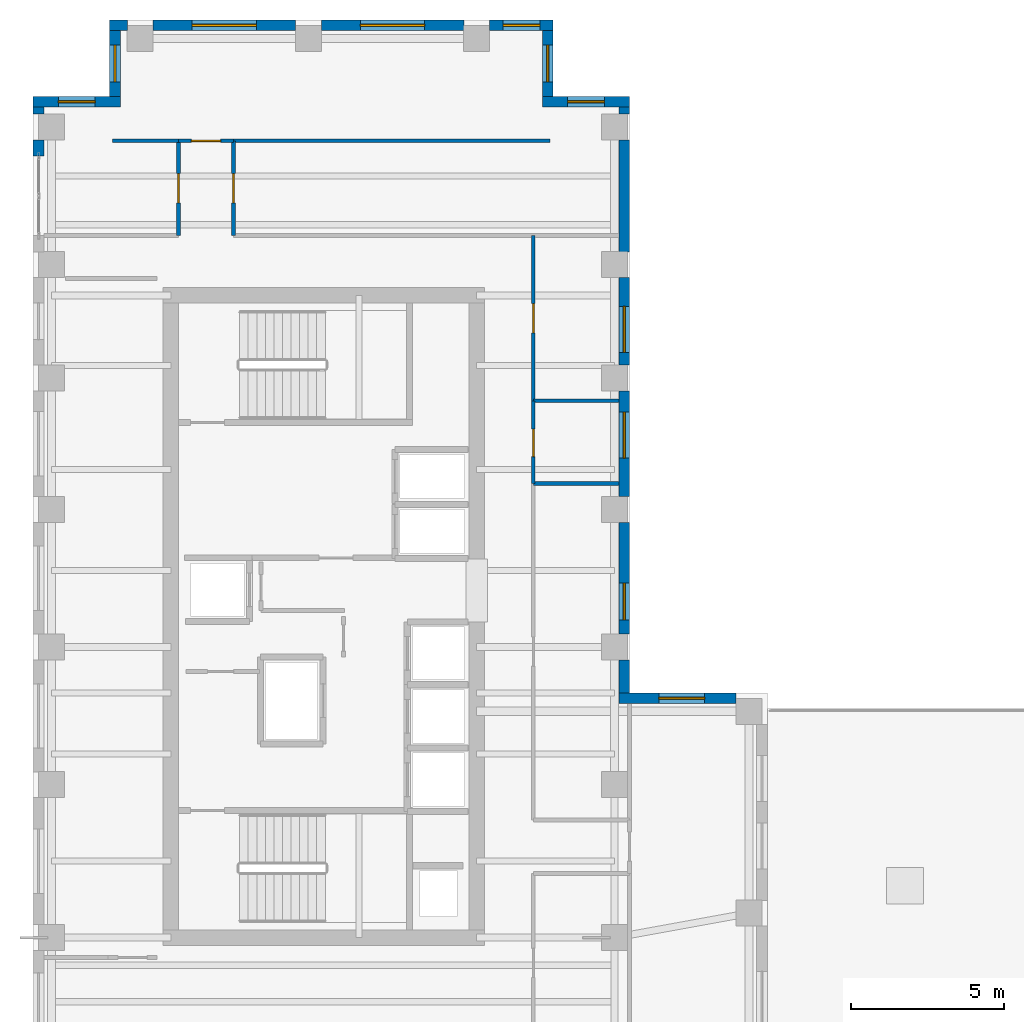
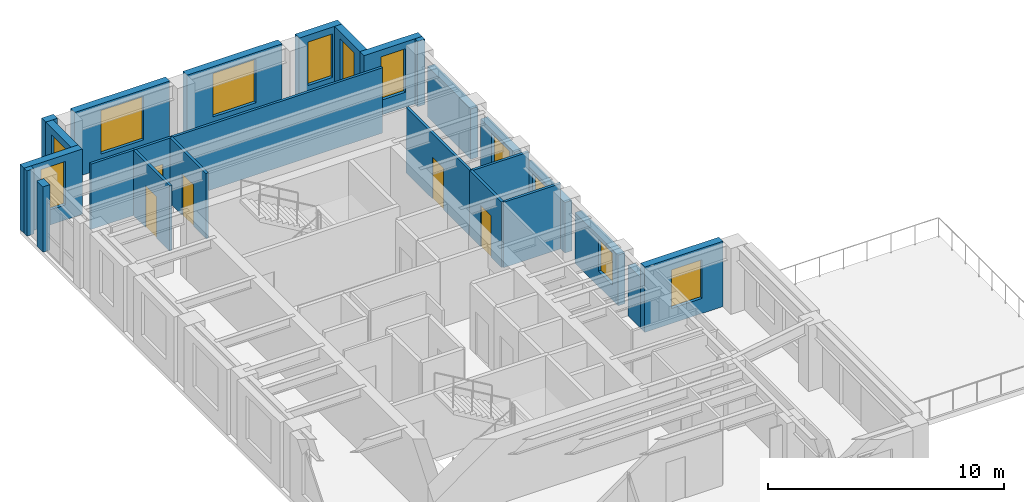
# One storey, part 8 of 11: 26 walls, 11 windows, 5 doors, 16 openings.
"""IFC4 building model written with IfcOpenShell, lengths in metres."""

import ifcopenshell
import ifcopenshell.guid

model = None  # the IFC model being written
_history = None  # IfcOwnerHistory: only IFC2X3 demands one
_inside = {}  # id of a spatial element -> (the spatial element, [elements in it])
_under = {}  # id of a project, library or spatial element -> (it, [spatial elements below it])
_declared = {}  # id of a project -> (the project, [libraries it declares])
_typed = {}  # id of a type object -> (the type object, [elements of that type])
_made_of = {}  # id of a material, layer set ... -> (it, [elements and type objects made of it])


def new_model(schema):
    """Start an empty IFC model of exactly this schema.

    Asked for "IFC4X3", IfcOpenShell would pick the latest addendum, in which some entities
    have other attributes; the version numbers below select the first issue.
    IFC2X3 requires an IfcOwnerHistory on every rooted entity: one is made here for all.
    """
    global model, _history
    if schema == "IFC4X3":
        model = ifcopenshell.file(schema_version=(4, 3, 0, 0))
    else:
        model = ifcopenshell.file(schema=schema)
    _inside.clear()
    _under.clear()
    _declared.clear()
    _typed.clear()
    _made_of.clear()
    _history = None
    if model.schema == "IFC2X3":
        org = make("IfcOrganization", Name="unknown")
        user = make(
            "IfcPersonAndOrganization",
            ThePerson=make("IfcPerson", FamilyName="unknown"),
            TheOrganization=org,
        )
        app = make(
            "IfcApplication",
            ApplicationDeveloper=org,
            Version="unknown",
            ApplicationFullName="unknown",
            ApplicationIdentifier="unknown",
        )
        _history = make(
            "IfcOwnerHistory",
            OwningUser=user,
            OwningApplication=app,
            ChangeAction="ADDED",
            CreationDate=0,
        )
    return model


def make(cls, **values):
    """One entity of the class cls with the attributes given. An attribute that is None is left unset."""
    return model.create_entity(
        cls, **{name: value for name, value in values.items() if value is not None}
    )


def rooted(cls, **values):
    """An entity with a GlobalId (a new one), such as an element, a storey or a relation."""
    return make(cls, GlobalId=ifcopenshell.guid.new(), OwnerHistory=_history, **values)


def si_unit(unit_type, name, prefix=None):
    """IfcSIUnit, for example si_unit("LENGTHUNIT", "METRE", prefix="MILLI")."""
    return make("IfcSIUnit", UnitType=unit_type, Prefix=prefix, Name=name)


def assignment(units):
    """IfcUnitAssignment: the units of a project."""
    return None if units is None else make("IfcUnitAssignment", Units=units)


def point(xyz):
    """IfcCartesianPoint."""
    return None if xyz is None else make("IfcCartesianPoint", Coordinates=xyz)


def direction(xyz):
    """IfcDirection."""
    return None if xyz is None else make("IfcDirection", DirectionRatios=xyz)


def frame(location, z_axis=None, x_axis=None):
    """IfcAxis2Placement3D, a coordinate frame: its origin and axes. An axis left out is left unset."""
    return make(
        "IfcAxis2Placement3D",
        Location=point(location),
        Axis=direction(z_axis),
        RefDirection=direction(x_axis),
    )


def frame_2d(location, x_axis=None):
    """IfcAxis2Placement2D, a coordinate frame in the plane: its origin and x axis."""
    return make(
        "IfcAxis2Placement2D", Location=point(location), RefDirection=direction(x_axis)
    )


def origin():
    """The frame at (0, 0, 0) with its axes left unset."""
    return frame((0.0, 0.0, 0.0))


def place(relative_to, where):
    """IfcLocalPlacement: puts the frame where relative to a parent placement (None: the world)."""
    return make(
        "IfcLocalPlacement", PlacementRelTo=relative_to, RelativePlacement=where
    )


def context(
    kind, dimensions, precision=None, world=None, true_north=None, identifier=None
):
    """IfcGeometricRepresentationContext, for example the 3D "Model" context."""
    return make(
        "IfcGeometricRepresentationContext",
        ContextIdentifier=identifier,
        ContextType=kind,
        CoordinateSpaceDimension=dimensions,
        Precision=precision,
        WorldCoordinateSystem=world,
        TrueNorth=true_north,
    )


def subcontext(parent, identifier, kind, view, scale=None):
    """IfcGeometricRepresentationSubContext, for example "Body" below "Model"."""
    return make(
        "IfcGeometricRepresentationSubContext",
        ContextIdentifier=identifier,
        ContextType=kind,
        ParentContext=parent,
        TargetScale=scale,
        TargetView=view,
    )


def project(units=None, contexts=None):
    """IfcProject with its units and contexts."""
    return rooted(
        "IfcProject",
        Name="project",
        RepresentationContexts=contexts,
        UnitsInContext=assignment(units),
    )


def spatial(cls, under=None, at=None, **own):
    """A site, building, storey or space (cls), placed at a placement, below another one or the project."""
    s = rooted(cls, ObjectPlacement=at, **own)
    if under is not None:
        _under.setdefault(under.id(), (under, []))[1].append(s)
    return s


def profile(cls, at=None, kind="AREA", **sizes):
    """A parametric profile (cls). Its sizes go by their IFC names, for example OverallWidth=200.0."""
    return make(cls, ProfileType=kind, Position=at, **sizes)


def rectangle(**sizes):
    """IfcRectangleProfileDef."""
    return profile("IfcRectangleProfileDef", **sizes)


def extrude(swept, where, along, depth):
    """IfcExtrudedAreaSolid: the profile swept, set in the frame where, extruded along a direction by depth."""
    return make(
        "IfcExtrudedAreaSolid",
        SweptArea=swept,
        Position=where,
        ExtrudedDirection=direction(along),
        Depth=depth,
    )


def shape(context_of_items, identifier, shape_type, items):
    """IfcShapeRepresentation: the items that make up one representation, for example the "Body"."""
    return make(
        "IfcShapeRepresentation",
        ContextOfItems=context_of_items,
        RepresentationIdentifier=identifier,
        RepresentationType=shape_type,
        Items=items,
    )


def source(mapping_origin, context_of_items, identifier, shape_type, items):
    """IfcRepresentationMap: a shape defined once, which mapped items show again and again."""
    return make(
        "IfcRepresentationMap",
        MappingOrigin=mapping_origin,
        MappedRepresentation=shape(context_of_items, identifier, shape_type, items),
    )


def transform(
    local_origin,
    x_axis=None,
    y_axis=None,
    z_axis=None,
    scale=None,
    scale2=None,
    scale3=None,
    uniform=True,
):
    """IfcCartesianTransformationOperator3D, or its non-uniform kind. x_axis, y_axis, z_axis: its Axis1, 2, 3."""
    if uniform:
        return make(
            "IfcCartesianTransformationOperator3D",
            Axis1=direction(x_axis),
            Axis2=direction(y_axis),
            LocalOrigin=point(local_origin),
            Scale=scale,
            Axis3=direction(z_axis),
        )
    return make(
        "IfcCartesianTransformationOperator3DnonUniform",
        Axis1=direction(x_axis),
        Axis2=direction(y_axis),
        LocalOrigin=point(local_origin),
        Scale=scale,
        Axis3=direction(z_axis),
        Scale2=scale2,
        Scale3=scale3,
    )


def mapped(mapping_source, mapping_target):
    """IfcMappedItem: shows the shape of a source again, moved by a transform."""
    return make(
        "IfcMappedItem", MappingSource=mapping_source, MappingTarget=mapping_target
    )


def material(Name=None, Category=None):
    """IfcMaterial."""
    return make("IfcMaterial", Name=Name, Category=Category)


def layer(
    of_material, thickness, ventilated=None, Name=None, Category=None, Priority=None
):
    """IfcMaterialLayer: one layer of a wall or slab, of a material (None: an air gap)."""
    return make(
        "IfcMaterialLayer",
        Material=of_material,
        LayerThickness=thickness,
        IsVentilated=ventilated,
        Name=Name,
        Category=Category,
        Priority=Priority,
    )


def layer_set(layers, Name=None):
    """IfcMaterialLayerSet."""
    return make("IfcMaterialLayerSet", MaterialLayers=layers, LayerSetName=Name)


def made_of(thing, what):
    """Note that an element or type object is made of a material, layer set ...; save() writes the relation."""
    if what is not None:
        _made_of.setdefault(what.id(), (what, []))[1].append(thing)
    return thing


def type_object(cls, material=None, **own):
    """A type object (cls), such as IfcWallType, which elements share."""
    return made_of(rooted(cls, **own), material)


def element(
    cls,
    number,
    at=None,
    inside=None,
    cuts=None,
    type_object=None,
    material=None,
    context=None,
    identifier="Body",
    shape_type=None,
    held_by="IfcProductDefinitionShape",
    body=None,
    shapes=None,
    **own,
):
    """One element of the class cls, such as IfcWall. Its Tag is "e" and its number.

    at: its placement. inside: the storey or other place that contains it. cuts: it is an
    opening in that element (IfcRelVoidsElement). A single representation is given by context,
    identifier, shape_type and body (its items); several are given by shapes. held_by: the class
    of the entity that holds the representations. save() writes the other relations.
    """
    e = rooted(cls, Tag="e%d" % number, ObjectPlacement=at, **own)
    if body is not None:
        shapes = [shape(context, identifier, shape_type, body)]
    if shapes is not None:
        e.Representation = make(held_by, Representations=shapes)
    if inside is not None:
        _inside.setdefault(inside.id(), (inside, []))[1].append(e)
    if cuts is not None:
        rooted(
            "IfcRelVoidsElement", RelatingBuildingElement=cuts, RelatedOpeningElement=e
        )
    if type_object is not None:
        _typed.setdefault(type_object.id(), (type_object, []))[1].append(e)
    return made_of(e, material)


def fill(opening, filler):
    """IfcRelFillsElement: the door or window that sits in an opening."""
    return rooted(
        "IfcRelFillsElement",
        RelatingOpeningElement=opening,
        RelatedBuildingElement=filler,
    )


def aggregate(whole, parts):
    """IfcRelAggregates: a whole, such as a stair, and the parts it consists of."""
    return rooted("IfcRelAggregates", RelatingObject=whole, RelatedObjects=parts)


def save(model, path):
    """Write the relations noted so far, then the file.

    IfcRelAggregates (storeys below a building ...), IfcRelContainedInSpatialStructure (elements
    in a storey), IfcRelDefinesByType, IfcRelAssociatesMaterial and IfcRelDeclares: one each for
    every whole, place, type object, material and project.
    """
    for whole, parts in _under.values():
        aggregate(whole, parts)
    for where, things in _inside.values():
        rooted(
            "IfcRelContainedInSpatialStructure",
            RelatedElements=things,
            RelatingStructure=where,
        )
    for kind, things in _typed.values():
        rooted("IfcRelDefinesByType", RelatedObjects=things, RelatingType=kind)
    for what, things in _made_of.values():
        rooted("IfcRelAssociatesMaterial", RelatedObjects=things, RelatingMaterial=what)
    for by, libraries in _declared.values():
        rooted("IfcRelDeclares", RelatingContext=by, RelatedDefinitions=libraries)
    model.write(path)


model = new_model("IFC4")

# Units and contexts
model_context = context("Model", 3, precision=1e-05, world=origin(), true_north=direction((0.0, 1.0)))
body_context = subcontext(model_context, "Body", "Model", "MODEL_VIEW")
ifc_project = project(units=[si_unit("LENGTHUNIT", "METRE"), si_unit("AREAUNIT", "SQUARE_METRE"), si_unit("VOLUMEUNIT", "CUBIC_METRE"), si_unit("PLANEANGLEUNIT", "RADIAN"), si_unit("MASSUNIT", "GRAM", prefix="KILO")], contexts=[model_context])

# Site, building, storey
site_placement = place(None, origin())
site = spatial("IfcSite", under=ifc_project, at=site_placement, CompositionType="ELEMENT")
building_placement = place(site_placement, origin())
building = spatial("IfcBuilding", under=site, at=building_placement, Name="Kharzan Plaza Tower", CompositionType="ELEMENT")
storey_placement = place(building_placement, frame((0.0, 0.0, 262.800048828125)))
storey = spatial("IfcBuildingStorey", under=building, at=storey_placement, Name="L71", CompositionType="ELEMENT", Elevation=262.800048828125)

# Wall, opening, window
ifc_material_1 = material(Name="Concrete C40/50", Category="concrete")
ifc_layer_1 = layer(ifc_material_1, 0.35009765625)
ifc_layer_set_1 = layer_set([ifc_layer_1], Name="Concrete C40/50")
wall_type_1 = type_object("IfcWallType", Name="WL-EXT-MAS-Z4", PredefinedType="SOLIDWALL", material=ifc_layer_set_1)
wall_1_placement = place(storey_placement, frame((16.824951171875, 35.998046875, 0.0), z_axis=(0.0, 0.0, 1.0), x_axis=(0.0, 1.0, 0.0)))
wall_1 = element("IfcWall", 1, at=wall_1_placement, inside=storey, type_object=wall_type_1, Name="L71 Masonry-Frame Exterior Wall 01", PredefinedType="SOLIDWALL", context=body_context, shape_type="SweptSolid", body=[
    extrude(rectangle(XDim=2.154052734375, YDim=0.35009765625, at=frame_2d((1.0771484375, 0.0))), origin(), (0.0, 0.0, 1.0), 3.385009765625),
])
opening_1_placement = place(wall_1_placement, frame((0.47705078125, 0.0, 0.780029296875)))
opening_1 = element("IfcOpeningElement", 2, at=opening_1_placement, cuts=wall_1, Name="Opening W3", PredefinedType="OPENING", context=body_context, shape_type="SweptSolid", body=[
    extrude(rectangle(XDim=1.199951171875, YDim=2.25, at=frame_2d((0.60009765625, 1.125))), frame((0.0, 0.18505859375, 0.0), z_axis=(0.0, -1.0, 0.0), x_axis=(1.0, 0.0, 0.0)), (0.0, 0.0, 1.0), 0.3701171875),
])
ifc_material_2 = material(Name="Low-E Double Glazing", Category="glass")
window_type_1 = type_object("IfcWindowType", Name="WN-REC-1200x2100", PartitioningType="SINGLE_PANEL", PredefinedType="WINDOW", material=ifc_material_2)
shared_shape_1 = source(origin(), body_context, "Body", "SweptSolid", [
    extrude(rectangle(XDim=1.199951171875, YDim=2.25, at=frame_2d((0.60009765625, 1.125))), frame((0.0, 0.030029296875, 0.0), z_axis=(0.0, -1.0, 0.0), x_axis=(1.0, 0.0, 0.0)), (0.0, 0.0, 1.0), 0.06005859375),
])
window_1_placement = place(opening_1_placement, origin())
window_1 = element("IfcWindow", 3, at=window_1_placement, inside=storey, type_object=window_type_1, Name="L71 Recessed Solar-Control Window 01-1", OverallHeight=2.25, OverallWidth=1.199951171875, PartitioningType="SINGLE_PANEL", PredefinedType="WINDOW", context=body_context, shape_type="MappedRepresentation", body=[
    mapped(shared_shape_1, transform((0.0, 0.0, 0.0), x_axis=(1.0, 0.0, 0.0), y_axis=(0.0, 1.0, 0.0), z_axis=(0.0, 0.0, 1.0))),
])
fill(opening_1, window_1)

wall_2_placement = place(storey_placement, frame((17.0, 38.324951171875, 0.0), z_axis=(0.0, 0.0, 1.0), x_axis=(-1.0, 0.0, 0.0)))
wall_2 = element("IfcWall", 4, at=wall_2_placement, inside=storey, type_object=wall_type_1, Name="L71 Masonry-Frame Exterior Wall 02", PredefinedType="SOLIDWALL", context=body_context, shape_type="SweptSolid", body=[
    extrude(rectangle(XDim=2.076904296875, YDim=0.35009765625, at=frame_2d((1.03857421875, 0.0))), origin(), (0.0, 0.0, 1.0), 3.385009765625),
])
opening_2_placement = place(wall_2_placement, frame((0.4384765625, 0.0, 0.780029296875)))
opening_2 = element("IfcOpeningElement", 5, at=opening_2_placement, cuts=wall_2, Name="Opening W3", PredefinedType="OPENING", context=body_context, shape_type="SweptSolid", body=[
    extrude(rectangle(XDim=1.199951171875, YDim=2.25, at=frame_2d((0.60009765625, 1.125))), frame((0.0, 0.18505859375, 0.0), z_axis=(0.0, -1.0, 0.0), x_axis=(1.0, 0.0, 0.0)), (0.0, 0.0, 1.0), 0.3701171875),
])
window_2_placement = place(opening_2_placement, origin())
window_2 = element("IfcWindow", 6, at=window_2_placement, inside=storey, type_object=window_type_1, Name="L71 Recessed Solar-Control Window 02-1", OverallHeight=2.25, OverallWidth=1.199951171875, PartitioningType="SINGLE_PANEL", PredefinedType="WINDOW", context=body_context, shape_type="MappedRepresentation", body=[
    mapped(shared_shape_1, transform((0.0, 0.0, 0.0), x_axis=(1.0, 0.0, 0.0), y_axis=(0.0, 1.0, 0.0), z_axis=(0.0, 0.0, 1.0))),
])
fill(opening_2, window_2)

wall_3_placement = place(storey_placement, frame((14.076904296875, 38.324951171875, 0.0), z_axis=(0.0, 0.0, 1.0), x_axis=(-1.0, 0.0, 0.0)))
wall_3 = element("IfcWall", 7, at=wall_3_placement, inside=storey, type_object=wall_type_1, Name="L71 Masonry-Frame Exterior Wall 03", PredefinedType="SOLIDWALL", context=body_context, shape_type="SweptSolid", body=[
    extrude(rectangle(XDim=4.65380859375, YDim=0.35009765625, at=frame_2d((2.326904296875, 0.0))), origin(), (0.0, 0.0, 1.0), 3.385009765625),
])
opening_3_placement = place(wall_3_placement, frame((1.277099609375, 0.0, 0.780029296875)))
opening_3 = element("IfcOpeningElement", 8, at=opening_3_placement, cuts=wall_3, Name="Opening W6", PredefinedType="OPENING", context=body_context, shape_type="SweptSolid", body=[
    extrude(rectangle(XDim=2.10009765625, YDim=2.25, at=frame_2d((1.050048828125, 1.125))), frame((0.0, 0.18505859375, 0.0), z_axis=(0.0, -1.0, 0.0), x_axis=(1.0, 0.0, 0.0)), (0.0, 0.0, 1.0), 0.3701171875),
])
window_type_2 = type_object("IfcWindowType", Name="WN-EXEC-2100x2250", PartitioningType="SINGLE_PANEL", PredefinedType="WINDOW", material=ifc_material_2)
shared_shape_2 = source(origin(), body_context, "Body", "SweptSolid", [
    extrude(rectangle(XDim=2.10009765625, YDim=2.25, at=frame_2d((1.050048828125, 1.125))), frame((0.0, 0.030029296875, 0.0), z_axis=(0.0, -1.0, 0.0), x_axis=(1.0, 0.0, 0.0)), (0.0, 0.0, 1.0), 0.06005859375),
])
window_3_placement = place(opening_3_placement, origin())
window_3 = element("IfcWindow", 9, at=window_3_placement, inside=storey, type_object=window_type_2, Name="L71 Recessed Solar-Control Window 03-1", OverallHeight=2.25, OverallWidth=2.10009765625, PartitioningType="SINGLE_PANEL", PredefinedType="WINDOW", context=body_context, shape_type="MappedRepresentation", body=[
    mapped(shared_shape_2, transform((0.0, 0.0, 0.0), x_axis=(1.0, 0.0, 0.0), y_axis=(0.0, 1.0, 0.0), z_axis=(0.0, 0.0, 1.0))),
])
fill(opening_3, window_3)

wall_4_placement = place(storey_placement, frame((8.576904296875, 38.324951171875, 0.0), z_axis=(0.0, 0.0, 1.0), x_axis=(-1.0, 0.0, 0.0)))
wall_4 = element("IfcWall", 10, at=wall_4_placement, inside=storey, type_object=wall_type_1, Name="L71 Masonry-Frame Exterior Wall 04", PredefinedType="SOLIDWALL", context=body_context, shape_type="SweptSolid", body=[
    extrude(rectangle(XDim=4.65380859375, YDim=0.35009765625, at=frame_2d((2.326904296875, 0.0))), origin(), (0.0, 0.0, 1.0), 3.385009765625),
])
opening_4_placement = place(wall_4_placement, frame((1.277099609375, 0.0, 0.780029296875)))
opening_4 = element("IfcOpeningElement", 11, at=opening_4_placement, cuts=wall_4, Name="Opening W6", PredefinedType="OPENING", context=body_context, shape_type="SweptSolid", body=[
    extrude(rectangle(XDim=2.10009765625, YDim=2.25, at=frame_2d((1.050048828125, 1.125))), frame((0.0, 0.18505859375, 0.0), z_axis=(0.0, -1.0, 0.0), x_axis=(1.0, 0.0, 0.0)), (0.0, 0.0, 1.0), 0.3701171875),
])
window_4_placement = place(opening_4_placement, origin())
window_4 = element("IfcWindow", 12, at=window_4_placement, inside=storey, type_object=window_type_2, Name="L71 Recessed Solar-Control Window 04-1", OverallHeight=2.25, OverallWidth=2.10009765625, PartitioningType="SINGLE_PANEL", PredefinedType="WINDOW", context=body_context, shape_type="MappedRepresentation", body=[
    mapped(shared_shape_2, transform((0.0, 0.0, 0.0), x_axis=(1.0, 0.0, 0.0), y_axis=(0.0, 1.0, 0.0), z_axis=(0.0, 0.0, 1.0))),
])
fill(opening_4, window_4)

wall_5_placement = place(storey_placement, frame((2.675048828125, 38.152099609375, 0.0), z_axis=(0.0, 0.0, 1.0), x_axis=(0.0, -1.0, 0.0)))
wall_5 = element("IfcWall", 13, at=wall_5_placement, inside=storey, type_object=wall_type_1, Name="L71 Masonry-Frame Exterior Wall 06", PredefinedType="SOLIDWALL", context=body_context, shape_type="SweptSolid", body=[
    extrude(rectangle(XDim=2.154052734375, YDim=0.35009765625, at=frame_2d((1.0771484375, 0.0))), origin(), (0.0, 0.0, 1.0), 3.385009765625),
])
opening_5_placement = place(wall_5_placement, frame((0.47705078125, 0.0, 0.780029296875)))
opening_5 = element("IfcOpeningElement", 14, at=opening_5_placement, cuts=wall_5, Name="Opening W3", PredefinedType="OPENING", context=body_context, shape_type="SweptSolid", body=[
    extrude(rectangle(XDim=1.199951171875, YDim=2.25, at=frame_2d((0.60009765625, 1.125))), frame((0.0, 0.18505859375, 0.0), z_axis=(0.0, -1.0, 0.0), x_axis=(1.0, 0.0, 0.0)), (0.0, 0.0, 1.0), 0.3701171875),
])
window_5_placement = place(opening_5_placement, origin())
window_5 = element("IfcWindow", 15, at=window_5_placement, inside=storey, type_object=window_type_1, Name="L71 Recessed Solar-Control Window 06-1", OverallHeight=2.25, OverallWidth=1.199951171875, PartitioningType="SINGLE_PANEL", PredefinedType="WINDOW", context=body_context, shape_type="MappedRepresentation", body=[
    mapped(shared_shape_1, transform((0.0, 0.0, 0.0), x_axis=(1.0, 0.0, 0.0), y_axis=(0.0, 1.0, 0.0), z_axis=(0.0, 0.0, 1.0))),
])
fill(opening_5, window_5)

wall_6_placement = place(storey_placement, frame((2.85009765625, 35.824951171875, 0.0), z_axis=(0.0, 0.0, 1.0), x_axis=(-1.0, 0.0, 0.0)))
wall_6 = element("IfcWall", 16, at=wall_6_placement, inside=storey, type_object=wall_type_1, Name="L71 Masonry-Frame Exterior Wall 07", PredefinedType="SOLIDWALL", context=body_context, shape_type="SweptSolid", body=[
    extrude(rectangle(XDim=2.85009765625, YDim=0.35009765625, at=frame_2d((1.425048828125, 0.0))), origin(), (0.0, 0.0, 1.0), 3.385009765625),
])
opening_6_placement = place(wall_6_placement, frame((0.824951171875, 0.0, 0.780029296875)))
opening_6 = element("IfcOpeningElement", 17, at=opening_6_placement, cuts=wall_6, Name="Opening W3", PredefinedType="OPENING", context=body_context, shape_type="SweptSolid", body=[
    extrude(rectangle(XDim=1.199951171875, YDim=2.25, at=frame_2d((0.60009765625, 1.125))), frame((0.0, 0.18505859375, 0.0), z_axis=(0.0, -1.0, 0.0), x_axis=(1.0, 0.0, 0.0)), (0.0, 0.0, 1.0), 0.3701171875),
])
window_6_placement = place(opening_6_placement, origin())
window_6 = element("IfcWindow", 18, at=window_6_placement, inside=storey, type_object=window_type_1, Name="L71 Recessed Solar-Control Window 07-1", OverallHeight=2.25, OverallWidth=1.199951171875, PartitioningType="SINGLE_PANEL", PredefinedType="WINDOW", context=body_context, shape_type="MappedRepresentation", body=[
    mapped(shared_shape_1, transform((0.0, 0.0, 0.0), x_axis=(1.0, 0.0, 0.0), y_axis=(0.0, 1.0, 0.0), z_axis=(0.0, 0.0, 1.0))),
])
fill(opening_6, window_6)

wall_7_placement = place(storey_placement, frame((22.97705078125, 16.324951171875, 0.0), z_axis=(0.0, 0.0, 1.0), x_axis=(-1.0, 0.0, 0.0)))
wall_7 = element("IfcWall", 19, at=wall_7_placement, inside=storey, type_object=wall_type_1, Name="L71 Masonry-Frame Exterior Wall 27", PredefinedType="SOLIDWALL", context=body_context, shape_type="SweptSolid", body=[
    extrude(rectangle(XDim=3.8271484375, YDim=0.35009765625, at=frame_2d((1.91357421875, 0.0))), origin(), (0.0, 0.0, 1.0), 3.385009765625),
])
opening_7_placement = place(wall_7_placement, frame((1.0234375, 0.0, 0.780029296875)))
opening_7 = element("IfcOpeningElement", 20, at=opening_7_placement, cuts=wall_7, Name="Opening W5", PredefinedType="OPENING", context=body_context, shape_type="SweptSolid", body=[
    extrude(rectangle(XDim=1.5, YDim=2.0, at=frame_2d((0.75, 1.0))), frame((0.0, 0.18505859375, 0.0), z_axis=(0.0, -1.0, 0.0), x_axis=(1.0, 0.0, 0.0)), (0.0, 0.0, 1.0), 0.3701171875),
])
window_type_3 = type_object("IfcWindowType", Name="WN-SLT-1500x2000", PartitioningType="SINGLE_PANEL", PredefinedType="WINDOW", material=ifc_material_2)
shared_shape_3 = source(origin(), body_context, "Body", "SweptSolid", [
    extrude(rectangle(XDim=1.5, YDim=2.0, at=frame_2d((0.75, 1.0))), frame((0.0, 0.030029296875, 0.0), z_axis=(0.0, -1.0, 0.0), x_axis=(1.0, 0.0, 0.0)), (0.0, 0.0, 1.0), 0.06005859375),
])
window_7_placement = place(opening_7_placement, origin())
window_7 = element("IfcWindow", 21, at=window_7_placement, inside=storey, type_object=window_type_3, Name="L71 Recessed Solar-Control Window 27-1", OverallHeight=2.0, OverallWidth=1.5, PartitioningType="SINGLE_PANEL", PredefinedType="WINDOW", context=body_context, shape_type="MappedRepresentation", body=[
    mapped(shared_shape_3, transform((0.0, 0.0, 0.0), x_axis=(1.0, 0.0, 0.0), y_axis=(0.0, 1.0, 0.0), z_axis=(0.0, 0.0, 1.0))),
])
fill(opening_7, window_7)

wall_8_placement = place(storey_placement, frame((19.324951171875, 18.423095703125, 0.0), z_axis=(0.0, 0.0, 1.0), x_axis=(0.0, 1.0, 0.0)))
wall_8 = element("IfcWall", 22, at=wall_8_placement, inside=storey, type_object=wall_type_1, Name="L71 Masonry-Frame Exterior Wall 29", PredefinedType="SOLIDWALL", context=body_context, shape_type="SweptSolid", body=[
    extrude(rectangle(XDim=3.65380859375, YDim=0.35009765625, at=frame_2d((1.826904296875, 0.0))), origin(), (0.0, 0.0, 1.0), 2.618896484375),
])
opening_8_placement = place(wall_8_placement, frame((0.469970703125, 0.0, 0.780029296875)))
opening_8 = element("IfcOpeningElement", 23, at=opening_8_placement, cuts=wall_8, Name="Opening W3", PredefinedType="OPENING", context=body_context, shape_type="SweptSolid", body=[
    extrude(rectangle(XDim=1.199951171875, YDim=1.658935546875, at=frame_2d((0.60009765625, 0.82958984375))), frame((0.0, 0.18505859375, 0.0), z_axis=(0.0, -1.0, 0.0), x_axis=(1.0, 0.0, 0.0)), (0.0, 0.0, 1.0), 0.3701171875),
])
shared_shape_4 = source(origin(), body_context, "Body", "SweptSolid", [
    extrude(rectangle(XDim=1.199951171875, YDim=1.658935546875, at=frame_2d((0.60009765625, 0.82958984375))), frame((0.0, 0.030029296875, 0.0), z_axis=(0.0, -1.0, 0.0), x_axis=(1.0, 0.0, 0.0)), (0.0, 0.0, 1.0), 0.06005859375),
])
window_8_placement = place(opening_8_placement, origin())
window_8 = element("IfcWindow", 24, at=window_8_placement, inside=storey, type_object=window_type_1, Name="L71 Recessed Solar-Control Window 29-1", OverallHeight=1.658935546875, OverallWidth=1.199951171875, PartitioningType="SINGLE_PANEL", PredefinedType="WINDOW", context=body_context, shape_type="MappedRepresentation", body=[
    mapped(shared_shape_4, transform((0.0, 0.0, 0.0), x_axis=(1.0, 0.0, 0.0), y_axis=(0.0, 1.0, 0.0), z_axis=(0.0, 0.0, 1.0))),
])
fill(opening_8, window_8)

wall_9_placement = place(storey_placement, frame((19.324951171875, 22.923095703125, 0.0), z_axis=(0.0, 0.0, 1.0), x_axis=(0.0, 1.0, 0.0)))
wall_9 = element("IfcWall", 25, at=wall_9_placement, inside=storey, type_object=wall_type_1, Name="L71 Masonry-Frame Exterior Wall 30", PredefinedType="SOLIDWALL", context=body_context, shape_type="SweptSolid", body=[
    extrude(rectangle(XDim=3.453857421875, YDim=0.35009765625, at=frame_2d((1.72705078125, 0.0))), origin(), (0.0, 0.0, 1.0), 2.618896484375),
])
opening_9_placement = place(wall_9_placement, frame((1.255615234375, 0.0, 0.780029296875)))
opening_9 = element("IfcOpeningElement", 26, at=opening_9_placement, cuts=wall_9, Name="Opening W5", PredefinedType="OPENING", context=body_context, shape_type="SweptSolid", body=[
    extrude(rectangle(XDim=1.5, YDim=1.658935546875, at=frame_2d((0.75, 0.82958984375))), frame((0.0, 0.18505859375, 0.0), z_axis=(0.0, -1.0, 0.0), x_axis=(1.0, 0.0, 0.0)), (0.0, 0.0, 1.0), 0.3701171875),
])
shared_shape_5 = source(origin(), body_context, "Body", "SweptSolid", [
    extrude(rectangle(XDim=1.5, YDim=1.658935546875, at=frame_2d((0.75, 0.82958984375))), frame((0.0, 0.030029296875, 0.0), z_axis=(0.0, -1.0, 0.0), x_axis=(1.0, 0.0, 0.0)), (0.0, 0.0, 1.0), 0.06005859375),
])
window_9_placement = place(opening_9_placement, origin())
window_9 = element("IfcWindow", 27, at=window_9_placement, inside=storey, type_object=window_type_3, Name="L71 Recessed Solar-Control Window 30-1", OverallHeight=1.658935546875, OverallWidth=1.5, PartitioningType="SINGLE_PANEL", PredefinedType="WINDOW", context=body_context, shape_type="MappedRepresentation", body=[
    mapped(shared_shape_5, transform((0.0, 0.0, 0.0), x_axis=(1.0, 0.0, 0.0), y_axis=(0.0, 1.0, 0.0), z_axis=(0.0, 0.0, 1.0))),
])
fill(opening_9, window_9)

wall_10_placement = place(storey_placement, frame((19.324951171875, 27.222900390625, 0.0), z_axis=(0.0, 0.0, 1.0), x_axis=(0.0, 1.0, 0.0)))
wall_10 = element("IfcWall", 28, at=wall_10_placement, inside=storey, type_object=wall_type_1, Name="L71 Masonry-Frame Exterior Wall 31", PredefinedType="SOLIDWALL", context=body_context, shape_type="SweptSolid", body=[
    extrude(rectangle(XDim=2.85400390625, YDim=0.35009765625, at=frame_2d((1.427001953125, 0.0))), origin(), (0.0, 0.0, 1.0), 2.618896484375),
])
opening_10_placement = place(wall_10_placement, frame((0.411376953125, 0.0, 0.780029296875)))
opening_10 = element("IfcOpeningElement", 29, at=opening_10_placement, cuts=wall_10, Name="Opening W5", PredefinedType="OPENING", context=body_context, shape_type="SweptSolid", body=[
    extrude(rectangle(XDim=1.5, YDim=1.658935546875, at=frame_2d((0.75, 0.82958984375))), frame((0.0, 0.18505859375, 0.0), z_axis=(0.0, -1.0, 0.0), x_axis=(1.0, 0.0, 0.0)), (0.0, 0.0, 1.0), 0.3701171875),
])
window_10_placement = place(opening_10_placement, origin())
window_10 = element("IfcWindow", 30, at=window_10_placement, inside=storey, type_object=window_type_3, Name="L71 Recessed Solar-Control Window 31-1", OverallHeight=1.658935546875, OverallWidth=1.5, PartitioningType="SINGLE_PANEL", PredefinedType="WINDOW", context=body_context, shape_type="MappedRepresentation", body=[
    mapped(shared_shape_5, transform((0.0, 0.0, 0.0), x_axis=(1.0, 0.0, 0.0), y_axis=(0.0, 1.0, 0.0), z_axis=(0.0, 0.0, 1.0))),
])
fill(opening_10, window_10)

wall_11_placement = place(storey_placement, frame((19.5, 35.824951171875, 0.0), z_axis=(0.0, 0.0, 1.0), x_axis=(-1.0, 0.0, 0.0)))
wall_11 = element("IfcWall", 31, at=wall_11_placement, inside=storey, type_object=wall_type_1, Name="L71 Masonry-Frame Exterior Wall 34", PredefinedType="SOLIDWALL", context=body_context, shape_type="SweptSolid", body=[
    extrude(rectangle(XDim=2.85009765625, YDim=0.35009765625, at=frame_2d((1.425048828125, 0.0))), origin(), (0.0, 0.0, 1.0), 3.385009765625),
])
opening_11_placement = place(wall_11_placement, frame((0.824951171875, 0.0, 0.780029296875)))
opening_11 = element("IfcOpeningElement", 32, at=opening_11_placement, cuts=wall_11, Name="Opening W3", PredefinedType="OPENING", context=body_context, shape_type="SweptSolid", body=[
    extrude(rectangle(XDim=1.199951171875, YDim=2.25, at=frame_2d((0.60009765625, 1.125))), frame((0.0, 0.18505859375, 0.0), z_axis=(0.0, -1.0, 0.0), x_axis=(1.0, 0.0, 0.0)), (0.0, 0.0, 1.0), 0.3701171875),
])
window_11_placement = place(opening_11_placement, origin())
window_11 = element("IfcWindow", 33, at=window_11_placement, inside=storey, type_object=window_type_1, Name="L71 Recessed Solar-Control Window 34-1", OverallHeight=2.25, OverallWidth=1.199951171875, PartitioningType="SINGLE_PANEL", PredefinedType="WINDOW", context=body_context, shape_type="MappedRepresentation", body=[
    mapped(shared_shape_1, transform((0.0, 0.0, 0.0), x_axis=(1.0, 0.0, 0.0), y_axis=(0.0, 1.0, 0.0), z_axis=(0.0, 0.0, 1.0))),
])
fill(opening_11, window_11)

# Wall, opening, door
ifc_material_3 = material(Name="Fire-Rated Gypsum Board Partition", Category="gypsum")
ifc_layer_2 = layer(ifc_material_3, 0.125)
ifc_layer_set_2 = layer_set([ifc_layer_2], Name="Fire-Rated Gypsum Board Partition")
wall_type_2 = type_object("IfcWallType", Name="WL-INT-PART-125", PredefinedType="PARTITIONING", material=ifc_layer_set_2)
wall_12_placement = place(storey_placement, frame((16.35009765625, 26.050048828125, 0.0), z_axis=(0.0, 0.0, 1.0), x_axis=(0.0, 1.0, 0.0)))
wall_12 = element("IfcWall", 34, at=wall_12_placement, inside=storey, type_object=wall_type_2, Name="L71 Interior Partition SH-AEW3", PredefinedType="PARTITIONING", context=body_context, shape_type="SweptSolid", body=[
    extrude(rectangle(XDim=5.39990234375, YDim=0.125, at=frame_2d((2.699951171875, 0.0))), origin(), (0.0, 0.0, 1.0), 3.385009765625),
])
opening_12_placement = place(wall_12_placement, frame((2.22509765625, 0.0, 0.0)))
opening_12 = element("IfcOpeningElement", 35, at=opening_12_placement, cuts=wall_12, Name="Opening OD1", PredefinedType="OPENING", context=body_context, shape_type="SweptSolid", body=[
    extrude(rectangle(XDim=0.949951171875, YDim=2.14990234375, at=frame_2d((0.47509765625, 1.074951171875))), frame((0.0, 0.072509765625, 0.0), z_axis=(0.0, -1.0, 0.0), x_axis=(1.0, 0.0, 0.0)), (0.0, 0.0, 1.0), 0.14501953125),
])
ifc_material_4 = material(Name="Acoustic Solid-Core Stained Oak", Category="timber")
door_type_1 = type_object("IfcDoorType", Name="DR-OFF-SINGLE", OperationType="NOTDEFINED", PredefinedType="DOOR", material=ifc_material_4)
shared_shape_6 = source(origin(), body_context, "Body", "SweptSolid", [
    extrude(rectangle(XDim=0.949951171875, YDim=2.14990234375, at=frame_2d((0.47509765625, 1.074951171875))), frame((0.0, 0.02490234375, 0.0), z_axis=(0.0, -1.0, 0.0), x_axis=(1.0, 0.0, 0.0)), (0.0, 0.0, 1.0), 0.050048828125),
])
door_1_placement = place(opening_12_placement, origin())
door_1 = element("IfcDoor", 36, at=door_1_placement, inside=storey, type_object=door_type_1, Name="L71 Tea Pantry Door", OperationType="SINGLE_SWING_RIGHT", OverallHeight=2.14990234375, OverallWidth=0.949951171875, PredefinedType="DOOR", context=body_context, shape_type="MappedRepresentation", body=[
    mapped(shared_shape_6, transform((0.0, 0.0, 0.0), x_axis=(1.0, 0.0, 0.0), y_axis=(0.0, 1.0, 0.0), z_axis=(0.0, 0.0, 1.0))),
])
fill(opening_12, door_1)

wall_13_placement = place(storey_placement, frame((16.35009765625, 23.35009765625, 0.0), z_axis=(0.0, 0.0, 1.0), x_axis=(0.0, 1.0, 0.0)))
wall_13 = element("IfcWall", 37, at=wall_13_placement, inside=storey, type_object=wall_type_2, Name="L71 Interior Partition SH-AEWW", PredefinedType="PARTITIONING", context=body_context, shape_type="SweptSolid", body=[
    extrude(rectangle(XDim=2.699951171875, YDim=0.125, at=frame_2d((1.35009765625, 0.0))), origin(), (0.0, 0.0, 1.0), 3.385009765625),
])
opening_13_placement = place(wall_13_placement, frame((0.875, 0.0, 0.0)))
opening_13 = element("IfcOpeningElement", 38, at=opening_13_placement, cuts=wall_13, Name="Opening WD1", PredefinedType="OPENING", context=body_context, shape_type="SweptSolid", body=[
    extrude(rectangle(XDim=0.89990234375, YDim=2.14990234375, at=frame_2d((0.449951171875, 1.074951171875))), frame((0.0, 0.072509765625, 0.0), z_axis=(0.0, -1.0, 0.0), x_axis=(1.0, 0.0, 0.0)), (0.0, 0.0, 1.0), 0.14501953125),
])
ifc_material_5 = material(Name="Moisture-Resistant Fire-Rated Laminate", Category="timber")
door_type_2 = type_object("IfcDoorType", Name="DR-WC-900", OperationType="NOTDEFINED", PredefinedType="DOOR", material=ifc_material_5)
shared_shape_7 = source(origin(), body_context, "Body", "SweptSolid", [
    extrude(rectangle(XDim=0.89990234375, YDim=2.14990234375, at=frame_2d((0.449951171875, 1.074951171875))), frame((0.0, 0.02490234375, 0.0), z_axis=(0.0, -1.0, 0.0), x_axis=(1.0, 0.0, 0.0)), (0.0, 0.0, 1.0), 0.050048828125),
])
door_2_placement = place(opening_13_placement, origin())
door_2 = element("IfcDoor", 39, at=door_2_placement, inside=storey, type_object=door_type_2, Name="L71 Washroom Door", OperationType="SINGLE_SWING_LEFT", OverallHeight=2.14990234375, OverallWidth=0.89990234375, PredefinedType="DOOR", context=body_context, shape_type="MappedRepresentation", body=[
    mapped(shared_shape_7, transform((0.0, 0.0, 0.0), x_axis=(1.0, 0.0, 0.0), y_axis=(0.0, 1.0, 0.0), z_axis=(0.0, 0.0, 1.0))),
])
fill(opening_13, door_2)

wall_14_placement = place(storey_placement, frame((6.550048828125, 31.449951171875, 0.0), z_axis=(0.0, 0.0, 1.0), x_axis=(0.0, 1.0, 0.0)))
wall_14 = element("IfcWall", 40, at=wall_14_placement, inside=storey, type_object=wall_type_2, Name="L71 Interior Partition SH-SPE-1", PredefinedType="PARTITIONING", context=body_context, shape_type="SweptSolid", body=[
    extrude(rectangle(XDim=3.10009765625, YDim=0.125, at=frame_2d((1.550048828125, 0.0))), origin(), (0.0, 0.0, 1.0), 3.385009765625),
])
opening_14_placement = place(wall_14_placement, frame((1.074951171875, 0.0, 0.0)))
opening_14 = element("IfcOpeningElement", 41, at=opening_14_placement, cuts=wall_14, Name="Opening OD1", PredefinedType="OPENING", context=body_context, shape_type="SweptSolid", body=[
    extrude(rectangle(XDim=0.949951171875, YDim=2.14990234375, at=frame_2d((0.47509765625, 1.074951171875))), frame((0.0, 0.072509765625, 0.0), z_axis=(0.0, -1.0, 0.0), x_axis=(1.0, 0.0, 0.0)), (0.0, 0.0, 1.0), 0.14501953125),
])
door_3_placement = place(opening_14_placement, origin())
door_3 = element("IfcDoor", 42, at=door_3_placement, inside=storey, type_object=door_type_1, Name="L71 Client Advisory Meeting Room Door", OperationType="SINGLE_SWING_RIGHT", OverallHeight=2.14990234375, OverallWidth=0.949951171875, PredefinedType="DOOR", context=body_context, shape_type="MappedRepresentation", body=[
    mapped(shared_shape_6, transform((0.0, 0.0, 0.0), x_axis=(1.0, 0.0, 0.0), y_axis=(0.0, 1.0, 0.0), z_axis=(0.0, 0.0, 1.0))),
])
fill(opening_14, door_3)

wall_15_placement = place(storey_placement, frame((4.75, 34.550048828125, 0.0), z_axis=(0.0, 0.0, 1.0), x_axis=(1.0, 0.0, 0.0)))
wall_15 = element("IfcWall", 43, at=wall_15_placement, inside=storey, type_object=wall_type_2, Name="L71 Interior Partition SH-SPHD", PredefinedType="PARTITIONING", context=body_context, shape_type="SweptSolid", body=[
    extrude(rectangle(XDim=1.800048828125, YDim=0.125, at=frame_2d((0.89990234375, 0.0))), origin(), (0.0, 0.0, 1.0), 3.385009765625),
])
opening_15_placement = place(wall_15_placement, frame((0.425048828125, 0.0, 0.0)))
opening_15 = element("IfcOpeningElement", 44, at=opening_15_placement, cuts=wall_15, Name="Opening OD1", PredefinedType="OPENING", context=body_context, shape_type="SweptSolid", body=[
    extrude(rectangle(XDim=0.949951171875, YDim=2.14990234375, at=frame_2d((0.47509765625, 1.074951171875))), frame((0.0, 0.072509765625, 0.0), z_axis=(0.0, -1.0, 0.0), x_axis=(1.0, 0.0, 0.0)), (0.0, 0.0, 1.0), 0.14501953125),
])
door_4_placement = place(opening_15_placement, origin())
door_4 = element("IfcDoor", 45, at=door_4_placement, inside=storey, type_object=door_type_1, Name="L71 North Boardroom Door", OperationType="SINGLE_SWING_LEFT", OverallHeight=2.14990234375, OverallWidth=0.949951171875, PredefinedType="DOOR", context=body_context, shape_type="MappedRepresentation", body=[
    mapped(shared_shape_6, transform((0.0, 0.0, 0.0), x_axis=(1.0, 0.0, 0.0), y_axis=(0.0, 1.0, 0.0), z_axis=(0.0, 0.0, 1.0))),
])
fill(opening_15, door_4)

wall_16_placement = place(storey_placement, frame((4.75, 31.449951171875, 0.0), z_axis=(0.0, 0.0, 1.0), x_axis=(0.0, 1.0, 0.0)))
wall_16 = element("IfcWall", 46, at=wall_16_placement, inside=storey, type_object=wall_type_2, Name="L71 Interior Partition SH-SPW-1", PredefinedType="PARTITIONING", context=body_context, shape_type="SweptSolid", body=[
    extrude(rectangle(XDim=3.10009765625, YDim=0.125, at=frame_2d((1.550048828125, 0.0))), origin(), (0.0, 0.0, 1.0), 3.385009765625),
])
opening_16_placement = place(wall_16_placement, frame((1.074951171875, 0.0, 0.0)))
opening_16 = element("IfcOpeningElement", 47, at=opening_16_placement, cuts=wall_16, Name="Opening OD1", PredefinedType="OPENING", context=body_context, shape_type="SweptSolid", body=[
    extrude(rectangle(XDim=0.949951171875, YDim=2.14990234375, at=frame_2d((0.47509765625, 1.074951171875))), frame((0.0, 0.072509765625, 0.0), z_axis=(0.0, -1.0, 0.0), x_axis=(1.0, 0.0, 0.0)), (0.0, 0.0, 1.0), 0.14501953125),
])
door_5_placement = place(opening_16_placement, origin())
door_5 = element("IfcDoor", 48, at=door_5_placement, inside=storey, type_object=door_type_1, Name="L71 Hospitality Tea Pantry Door", OperationType="SINGLE_SWING_LEFT", OverallHeight=2.14990234375, OverallWidth=0.949951171875, PredefinedType="DOOR", context=body_context, shape_type="MappedRepresentation", body=[
    mapped(shared_shape_6, transform((0.0, 0.0, 0.0), x_axis=(1.0, 0.0, 0.0), y_axis=(0.0, 1.0, 0.0), z_axis=(0.0, 0.0, 1.0))),
])
fill(opening_16, door_5)

# Walls
shared_shape_8 = source(origin(), body_context, "Body", "SweptSolid", [
    extrude(rectangle(XDim=2.7978515625, YDim=0.125, at=frame_2d((1.39892578125, 0.0))), origin(), (0.0, 0.0, 1.0), 3.385009765625),
])
for number, where, z_axis, x_axis, name in (
    (49, (16.35009765625, 23.35009765625, 0.0), (0.0, 0.0, 1.0), (1.0, 0.0, 0.0), "L71 Interior Partition SH-AEH-233"),
    (50, (16.35009765625, 26.050048828125, 0.0), (0.0, 0.0, 1.0), (1.0, 0.0, 0.0), "L71 Interior Partition SH-AEH-260"),
):
    element("IfcWall", number, at=place(storey_placement, frame(where, z_axis=z_axis, x_axis=x_axis)), inside=storey, type_object=wall_type_2, Name=name, PredefinedType="PARTITIONING", context=body_context, shape_type="MappedRepresentation", body=[
        mapped(shared_shape_8, transform((0.0, 0.0, 0.0), x_axis=(1.0, 0.0, 0.0), y_axis=(0.0, 1.0, 0.0), z_axis=(0.0, 0.0, 1.0))),
    ])
shared_shape_9 = source(origin(), body_context, "Body", "SweptSolid", [
    extrude(rectangle(XDim=0.576904296875, YDim=0.35009765625, at=frame_2d((0.28857421875, 0.0))), origin(), (0.0, 0.0, 1.0), 3.385009765625),
])
wall_17_placement = place(storey_placement, frame((3.076904296875, 38.324951171875, 0.0), z_axis=(0.0, 0.0, 1.0), x_axis=(-1.0, 0.0, 0.0)))
element("IfcWall", 51, at=wall_17_placement, inside=storey, type_object=wall_type_1, Name="L71 Masonry-Frame Exterior Wall 05", PredefinedType="SOLIDWALL", context=body_context, shape_type="MappedRepresentation", body=[
    mapped(shared_shape_9, transform((0.0, 0.0, 0.0), x_axis=(1.0, 0.0, 0.0), y_axis=(0.0, 1.0, 0.0), z_axis=(0.0, 0.0, 1.0))),
])
shared_shape_10 = source(origin(), body_context, "Body", "SweptSolid", [
    extrude(rectangle(XDim=0.22900390625, YDim=0.35009765625, at=frame_2d((0.114501953125, 0.0))), origin(), (0.0, 0.0, 1.0), 3.385009765625),
])
for number, where, z_axis, x_axis, name in (
    (52, (0.175048828125, 35.652099609375, 0.0), (0.0, 0.0, 1.0), (0.0, -1.0, 0.0), "L71 Masonry-Frame Exterior Wall 08"),
    (53, (19.324951171875, 35.423095703125, 0.0), (0.0, 0.0, 1.0), (0.0, 1.0, 0.0), "L71 Masonry-Frame Exterior Wall 33"),
):
    element("IfcWall", number, at=place(storey_placement, frame(where, z_axis=z_axis, x_axis=x_axis)), inside=storey, type_object=wall_type_1, Name=name, PredefinedType="SOLIDWALL", context=body_context, shape_type="MappedRepresentation", body=[
        mapped(shared_shape_10, transform((0.0, 0.0, 0.0), x_axis=(1.0, 0.0, 0.0), y_axis=(0.0, 1.0, 0.0), z_axis=(0.0, 0.0, 1.0))),
    ])
shared_shape_11 = source(origin(), body_context, "Body", "SweptSolid", [
    extrude(rectangle(XDim=0.52685546875, YDim=0.35009765625, at=frame_2d((0.263427734375, 0.0))), origin(), (0.0, 0.0, 1.0), 3.385009765625),
])
wall_18_placement = place(storey_placement, frame((0.175048828125, 34.576904296875, 0.0), z_axis=(0.0, 0.0, 1.0), x_axis=(0.0, -1.0, 0.0)))
element("IfcWall", 54, at=wall_18_placement, inside=storey, type_object=wall_type_1, Name="L71 Masonry-Frame Exterior Wall 09", PredefinedType="SOLIDWALL", context=body_context, shape_type="MappedRepresentation", body=[
    mapped(shared_shape_11, transform((0.0, 0.0, 0.0), x_axis=(1.0, 0.0, 0.0), y_axis=(0.0, 1.0, 0.0), z_axis=(0.0, 0.0, 1.0))),
])
shared_shape_12 = source(origin(), body_context, "Body", "SweptSolid", [
    extrude(rectangle(XDim=3.65380859375, YDim=0.35009765625, at=frame_2d((1.826904296875, 0.0))), origin(), (0.0, 0.0, 1.0), 2.618896484375),
])
wall_19_placement = place(storey_placement, frame((19.324951171875, 30.923095703125, 0.0), z_axis=(0.0, 0.0, 1.0), x_axis=(0.0, 1.0, 0.0)))
element("IfcWall", 55, at=wall_19_placement, inside=storey, type_object=wall_type_1, Name="L71 Masonry-Frame Exterior Wall 32", PredefinedType="SOLIDWALL", context=body_context, shape_type="MappedRepresentation", body=[
    mapped(shared_shape_12, transform((0.0, 0.0, 0.0), x_axis=(1.0, 0.0, 0.0), y_axis=(0.0, 1.0, 0.0), z_axis=(0.0, 0.0, 1.0))),
])
shared_shape_13 = source(origin(), body_context, "Body", "SweptSolid", [
    extrude(rectangle(XDim=1.078857421875, YDim=0.35009765625, at=frame_2d((0.53955078125, 0.0))), origin(), (0.0, 0.0, 1.0), 2.618896484375),
])
wall_20_placement = place(storey_placement, frame((19.324951171875, 16.498046875, 0.0), z_axis=(0.0, 0.0, 1.0), x_axis=(0.0, 1.0, 0.0)))
element("IfcWall", 56, at=wall_20_placement, inside=storey, type_object=wall_type_1, Name="L71 Masonry-Frame Exterior Wall 28", PredefinedType="SOLIDWALL", context=body_context, shape_type="MappedRepresentation", body=[
    mapped(shared_shape_13, transform((0.0, 0.0, 0.0), x_axis=(1.0, 0.0, 0.0), y_axis=(0.0, 1.0, 0.0), z_axis=(0.0, 0.0, 1.0))),
])
shared_shape_14 = source(origin(), body_context, "Body", "SweptSolid", [
    extrude(rectangle(XDim=10.349853515625, YDim=0.125, at=frame_2d((5.1748046875, 0.0))), origin(), (0.0, 0.0, 1.0), 3.385009765625),
])
wall_21_placement = place(storey_placement, frame((6.550048828125, 34.550048828125, 0.0), z_axis=(0.0, 0.0, 1.0), x_axis=(1.0, 0.0, 0.0)))
element("IfcWall", 57, at=wall_21_placement, inside=storey, type_object=wall_type_2, Name="L71 Interior Partition SH-SPHE", PredefinedType="PARTITIONING", context=body_context, shape_type="MappedRepresentation", body=[
    mapped(shared_shape_14, transform((0.0, 0.0, 0.0), x_axis=(1.0, 0.0, 0.0), y_axis=(0.0, 1.0, 0.0), z_axis=(0.0, 0.0, 1.0))),
])
shared_shape_15 = source(origin(), body_context, "Body", "SweptSolid", [
    extrude(rectangle(XDim=2.14990234375, YDim=0.125, at=frame_2d((1.074951171875, 0.0))), origin(), (0.0, 0.0, 1.0), 3.385009765625),
])
wall_22_placement = place(storey_placement, frame((2.60009765625, 34.550048828125, 0.0), z_axis=(0.0, 0.0, 1.0), x_axis=(1.0, 0.0, 0.0)))
element("IfcWall", 58, at=wall_22_placement, inside=storey, type_object=wall_type_2, Name="L71 Interior Partition SH-SPHW", PredefinedType="PARTITIONING", context=body_context, shape_type="MappedRepresentation", body=[
    mapped(shared_shape_15, transform((0.0, 0.0, 0.0), x_axis=(1.0, 0.0, 0.0), y_axis=(0.0, 1.0, 0.0), z_axis=(0.0, 0.0, 1.0))),
])

save(model, "model.ifc")
